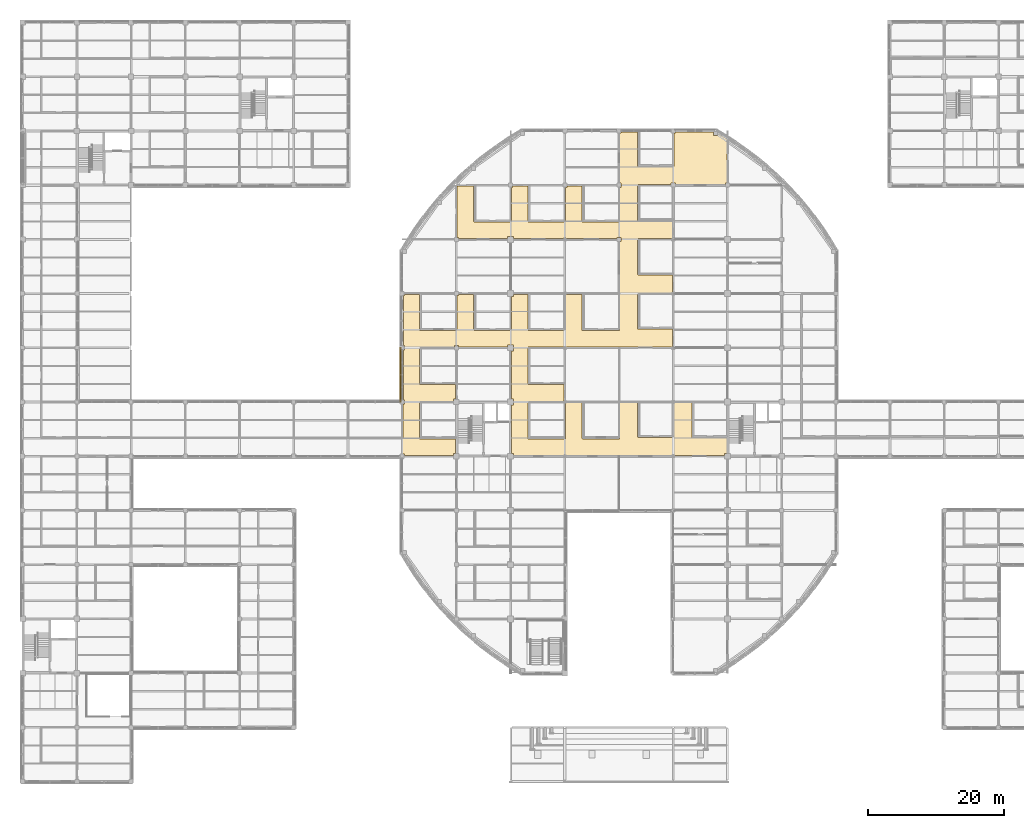
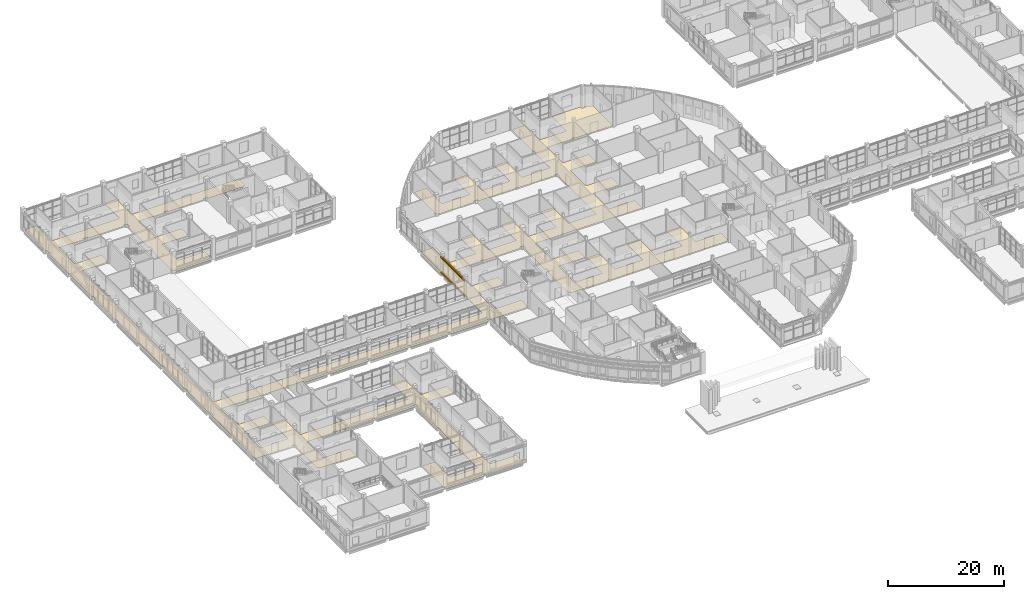
# One storey, part 110 of 121: 3 coverings, 1 shading device.
"""IFC4 building model written with IfcOpenShell, lengths in metres."""

from ifc_helpers import new_model, si_unit, derived_unit, direction, frame, origin, origin_2d, place, context, subcontext, project, spatial, polyline, rectangle, circle, outline, extrude, material, layer, layer_set, material_profile, profile_set, type_object, element, save


model = new_model("IFC4")

# Units and contexts
model_context = context("Model", 3, precision=1e-05, world=origin(), true_north=direction((0.0, 1.0)))
body_context = subcontext(model_context, "Body", "Model", "MODEL_VIEW")
ifc_project = project(units=[si_unit("LENGTHUNIT", "METRE"), si_unit("AREAUNIT", "SQUARE_METRE"), si_unit("VOLUMEUNIT", "CUBIC_METRE"), si_unit("PLANEANGLEUNIT", "RADIAN"), si_unit("MASSUNIT", "GRAM", prefix="KILO"), derived_unit("THERMALTRANSMITTANCEUNIT", [(si_unit("MASSUNIT", "GRAM", prefix="KILO"), 1), (si_unit("TIMEUNIT", "SECOND"), -3), (si_unit("THERMODYNAMICTEMPERATUREUNIT", "KELVIN"), -1)])], contexts=[model_context])

# Site, building, storey
site_placement = place(None, origin())
site = spatial("IfcSite", under=ifc_project, at=site_placement, CompositionType="ELEMENT")
building_placement = place(site_placement, origin())
building = spatial("IfcBuilding", under=site, at=building_placement, Name="Veyamyaing Civic Hall", CompositionType="ELEMENT")
storey_placement = place(building_placement, frame((0.0, 0.0, 5.280029296875)))
storey = spatial("IfcBuildingStorey", under=building, at=storey_placement, Name="L01", CompositionType="ELEMENT", Elevation=5.280029296875)

# Coverings
ifc_material_1 = material(Name="White powder-coated aluminium 6063-T6", Category="aluminium")
ifc_layer_1 = layer(ifc_material_1, 0.2099609375, Name="White powder-coated aluminium 6063-T6")
ifc_layer_set_1 = layer_set([ifc_layer_1], Name="White powder-coated aluminium 6063-T6")
covering_type_1 = type_object("IfcCoveringType", Name="CL-03", PredefinedType="CLADDING", material=ifc_layer_set_1)
for number, where, z_axis, x_axis, name in (
    (1, (55.760009765625, 60.0, 3.596923828125), (0.0, 0.0, 1.0), (0.0, 1.0, 0.0), "Continuous white head fascia ribbon CL-03 L01 W 8.8"),
    (2, (55.760009765625, 60.0, 0.280029296875), (0.0, 0.0, 1.0), (0.0, 1.0, 0.0), "Continuous white sill fascia ribbon CL-03 L01 W 8.8"),
):
    element("IfcCovering", number, at=place(storey_placement, frame(where, z_axis=z_axis, x_axis=x_axis)), inside=storey, type_object=covering_type_1, Name=name, PredefinedType="CLADDING", context=body_context, shape_type="SweptSolid", body=[
        extrude(rectangle(XDim=8.1201171875, YDim=0.2099609375, at=origin_2d()), origin(), (0.0, 0.0, 1.0), 0.39990234375),
    ])
ifc_material_2 = material(Name="Polished Mandalay marble and terrazzo flooring", Category="masonry")
ifc_layer_2 = layer(ifc_material_2, 0.030029296875, Name="Polished Mandalay marble and terrazzo flooring")
ifc_layer_set_2 = layer_set([ifc_layer_2], Name="Polished Mandalay marble and terrazzo flooring")
covering_type_2 = type_object("IfcCoveringType", Name="FLR-01", PredefinedType="FLOORING", material=ifc_layer_set_2)
covering_placement = place(storey_placement, origin())
element("IfcCovering", 3, at=covering_placement, inside=storey, type_object=covering_type_2, Name="Stone and terrazzo flooring FLR-01 L01-C01", PredefinedType="FLOORING", context=body_context, shape_type="SweptSolid", body=[
    extrude(outline(polyline([(2.594482421875, 40.0830078125), (2.57275390625, 40.0634765625), (2.5576171875, 40.038330078125), (2.550048828125, 40.0), (2.550048828125, 34.64990234375), (2.5576171875, 34.61181640625), (2.579345703125, 34.579345703125), (2.61181640625, 34.5576171875), (2.64990234375, 34.550048828125), (8.0, 34.550048828125), (8.038330078125, 34.5576171875), (8.07080078125, 34.579345703125), (8.09228515625, 34.61181640625), (8.10009765625, 34.64990234375), (8.10009765625, 39.68994140625), (8.31005859375, 39.68994140625), (8.31005859375, 39.89990234375), (10.550048828125, 39.89990234375), (10.550048828125, 34.64990234375), (10.5576171875, 34.61181640625), (10.57275390625, 34.586669921875), (10.594482421875, 34.56689453125), (10.630615234375, 34.552001953125), (32.01953125, 34.552001953125), (32.0556640625, 34.56689453125), (32.077392578125, 34.586669921875), (32.095703125, 34.62109375), (32.10009765625, 34.64990234375), (32.10009765625, 39.68994140625), (32.31005859375, 39.68994140625), (32.31005859375, 39.820068359375), (34.550048828125, 39.820068359375), (34.550048828125, 34.64990234375), (34.5576171875, 34.61181640625), (34.579345703125, 34.579345703125), (34.61181640625, 34.5576171875), (34.64990234375, 34.550048828125), (39.820068359375, 34.550048828125), (39.820068359375, 32.31005859375), (39.68994140625, 32.31005859375), (39.68994140625, 32.10009765625), (34.64990234375, 32.10009765625), (34.62109375, 32.095703125), (34.586669921875, 32.077392578125), (34.56689453125, 32.0556640625), (34.552001953125, 32.01953125), (34.552001953125, 10.630615234375), (34.56689453125, 10.594482421875), (34.586669921875, 10.57275390625), (34.61181640625, 10.5576171875), (34.64990234375, 10.550048828125), (39.820068359375, 10.550048828125), (39.820068359375, 8.31005859375), (39.68994140625, 8.31005859375), (39.68994140625, 8.179931640625), (32.31005859375, 8.179931640625), (32.31005859375, 8.31005859375), (31.68994140625, 8.31005859375), (31.68994140625, 8.179931640625), (24.31005859375, 8.179931640625), (24.31005859375, 8.31005859375), (24.10009765625, 8.31005859375), (24.10009765625, 15.68994140625), (24.31005859375, 15.68994140625), (24.31005859375, 15.820068359375), (26.550048828125, 15.820068359375), (26.550048828125, 10.64990234375), (26.55419921875, 10.62109375), (26.561767578125, 10.602783203125), (26.57275390625, 10.586669921875), (26.594482421875, 10.56689453125), (26.62109375, 10.55419921875), (26.64990234375, 10.550048828125), (32.0, 10.550048828125), (32.038330078125, 10.5576171875), (32.0634765625, 10.57275390625), (32.0830078125, 10.594482421875), (32.095703125, 10.62109375), (32.10009765625, 10.64990234375), (32.10009765625, 15.68994140625), (32.31005859375, 15.68994140625), (32.31005859375, 16.31005859375), (32.179931640625, 16.31005859375), (32.179931640625, 23.68994140625), (32.31005859375, 23.68994140625), (32.31005859375, 24.31005859375), (32.179931640625, 24.31005859375), (32.179931640625, 31.68994140625), (32.31005859375, 31.68994140625), (32.31005859375, 32.31005859375), (31.68994140625, 32.31005859375), (31.68994140625, 32.179931640625), (24.31005859375, 32.179931640625), (24.31005859375, 32.31005859375), (23.68994140625, 32.31005859375), (23.68994140625, 32.179931640625), (16.31005859375, 32.179931640625), (16.31005859375, 32.31005859375), (15.68994140625, 32.31005859375), (15.68994140625, 32.10009765625), (10.64990234375, 32.10009765625), (10.62109375, 32.095703125), (10.594482421875, 32.0830078125), (10.579345703125, 32.07080078125), (10.561767578125, 32.047119140625), (10.552001953125, 32.01953125), (10.550048828125, 32.0), (10.550048828125, 26.64990234375), (10.55419921875, 26.62109375), (10.56689453125, 26.594482421875), (10.586669921875, 26.57275390625), (10.602783203125, 26.561767578125), (10.62109375, 26.55419921875), (10.64990234375, 26.550048828125), (15.820068359375, 26.550048828125), (15.820068359375, 24.31005859375), (15.68994140625, 24.31005859375), (15.68994140625, 24.10009765625), (8.409912109375, 24.10009765625), (8.409912109375, 24.409912109375), (8.10009765625, 24.409912109375), (8.10009765625, 31.68994140625), (8.31005859375, 31.68994140625), (8.31005859375, 32.31005859375), (7.68994140625, 32.31005859375), (7.68994140625, 32.10009765625), (0.31005859375, 32.10009765625), (0.31005859375, 32.31005859375), (0.179931640625, 32.31005859375), (0.179931640625, 39.68994140625), (0.31005859375, 39.68994140625), (0.31005859375, 40.31005859375), (0.179931640625, 40.31005859375), (0.179931640625, 47.68994140625), (0.31005859375, 47.68994140625), (0.31005859375, 48.31005859375), (0.179931640625, 48.31005859375), (0.179931640625, 55.68994140625), (0.31005859375, 55.68994140625), (0.31005859375, 56.31005859375), (0.179931640625, 56.31005859375), (0.179931640625, 63.68994140625), (0.31005859375, 63.68994140625), (0.31005859375, 64.31005859375), (0.179931640625, 64.31005859375), (0.179931640625, 71.68994140625), (0.31005859375, 71.68994140625), (0.31005859375, 72.31005859375), (0.179931640625, 72.31005859375), (0.179931640625, 79.614990234375), (0.385009765625, 79.614990234375), (0.385009765625, 80.385009765625), (0.179931640625, 80.385009765625), (0.179931640625, 87.614990234375), (0.385009765625, 87.614990234375), (0.385009765625, 88.385009765625), (0.179931640625, 88.385009765625), (0.179931640625, 95.614990234375), (0.385009765625, 95.614990234375), (0.385009765625, 96.385009765625), (0.179931640625, 96.385009765625), (0.179931640625, 103.614990234375), (0.385009765625, 103.614990234375), (0.385009765625, 104.385009765625), (0.179931640625, 104.385009765625), (0.179931640625, 111.614990234375), (0.385009765625, 111.614990234375), (0.385009765625, 111.820068359375), (2.550048828125, 111.820068359375), (2.550048828125, 106.64990234375), (2.5576171875, 106.61181640625), (2.579345703125, 106.579345703125), (2.61181640625, 106.5576171875), (2.64013671875, 106.550537109375), (16.0, 106.550048828125), (16.029052734375, 106.55419921875), (16.0556640625, 106.56689453125), (16.077392578125, 106.586669921875), (16.095703125, 106.62109375), (16.10009765625, 106.64990234375), (16.10009765625, 111.614990234375), (16.385009765625, 111.614990234375), (16.385009765625, 111.820068359375), (18.550048828125, 111.820068359375), (18.550048828125, 106.64990234375), (18.55419921875, 106.62109375), (18.57275390625, 106.586669921875), (18.594482421875, 106.56689453125), (18.630615234375, 106.552001953125), (39.89990234375, 106.550048828125), (39.89990234375, 104.409912109375), (39.590087890625, 104.409912109375), (39.590087890625, 104.10009765625), (32.409912109375, 104.10009765625), (32.409912109375, 104.409912109375), (31.590087890625, 104.409912109375), (31.590087890625, 104.10009765625), (24.385009765625, 104.10009765625), (24.385009765625, 104.385009765625), (23.614990234375, 104.385009765625), (23.614990234375, 104.10009765625), (18.64990234375, 104.10009765625), (18.61181640625, 104.09228515625), (18.594482421875, 104.0830078125), (18.57275390625, 104.0634765625), (18.55419921875, 104.029052734375), (18.550048828125, 104.0), (18.550048828125, 98.64990234375), (18.55419921875, 98.62109375), (18.56689453125, 98.594482421875), (18.579345703125, 98.579345703125), (18.602783203125, 98.561767578125), (18.62109375, 98.55419921875), (18.64990234375, 98.550048828125), (23.89990234375, 98.550048828125), (23.89990234375, 96.385009765625), (23.614990234375, 96.385009765625), (23.614990234375, 96.10009765625), (18.64990234375, 96.10009765625), (18.61181640625, 96.09228515625), (18.579345703125, 96.07080078125), (18.5576171875, 96.038330078125), (18.550048828125, 96.0), (18.550048828125, 90.64990234375), (18.55419921875, 90.62109375), (18.57275390625, 90.586669921875), (18.594482421875, 90.56689453125), (18.62109375, 90.55419921875), (18.64990234375, 90.550048828125), (23.89990234375, 90.550048828125), (23.89990234375, 88.385009765625), (23.614990234375, 88.385009765625), (23.614990234375, 88.179931640625), (16.409912109375, 88.179931640625), (16.409912109375, 88.409912109375), (16.10009765625, 88.409912109375), (16.10009765625, 95.590087890625), (16.409912109375, 95.590087890625), (16.409912109375, 96.409912109375), (16.10009765625, 96.409912109375), (16.10009765625, 103.614990234375), (16.385009765625, 103.614990234375), (16.385009765625, 104.385009765625), (15.614990234375, 104.385009765625), (15.614990234375, 104.10009765625), (8.385009765625, 104.10009765625), (8.385009765625, 104.385009765625), (7.614990234375, 104.385009765625), (7.614990234375, 104.10009765625), (2.64990234375, 104.10009765625), (2.62109375, 104.095703125), (2.602783203125, 104.088134765625), (2.579345703125, 104.07080078125), (2.56689453125, 104.0556640625), (2.55419921875, 104.029052734375), (2.550048828125, 104.0), (2.550048828125, 98.64990234375), (2.5576171875, 98.61181640625), (2.579345703125, 98.579345703125), (2.61181640625, 98.5576171875), (2.64990234375, 98.550048828125), (7.89990234375, 98.550048828125), (7.89990234375, 96.409912109375), (7.590087890625, 96.409912109375), (7.590087890625, 96.10009765625), (2.64990234375, 96.10009765625), (2.61181640625, 96.09228515625), (2.579345703125, 96.07080078125), (2.5576171875, 96.038330078125), (2.550537109375, 96.009765625), (2.550048828125, 50.64990234375), (2.5576171875, 50.61181640625), (2.57275390625, 50.586669921875), (2.594482421875, 50.56689453125), (2.630615234375, 50.552001953125), (56.0, 50.550048828125), (56.038330078125, 50.5576171875), (56.0634765625, 50.57275390625), (56.0830078125, 50.594482421875), (56.095703125, 50.62109375), (56.10009765625, 50.64990234375), (56.10009765625, 55.68994140625), (56.31005859375, 55.68994140625), (56.31005859375, 56.31005859375), (56.179931640625, 56.31005859375), (56.179931640625, 63.68994140625), (56.31005859375, 63.68994140625), (56.31005859375, 64.31005859375), (56.179931640625, 64.31005859375), (56.179931640625, 71.68994140625), (56.31005859375, 71.68994140625), (56.31005859375, 71.89990234375), (58.550048828125, 71.89990234375), (58.550048828125, 66.64990234375), (58.55419921875, 66.62109375), (58.57275390625, 66.586669921875), (58.602783203125, 66.561767578125), (58.630615234375, 66.552001953125), (64.0, 66.550048828125), (64.038330078125, 66.5576171875), (64.07080078125, 66.579345703125), (64.09228515625, 66.61181640625), (64.10009765625, 66.64990234375), (64.10009765625, 71.68994140625), (64.31005859375, 71.68994140625), (64.31005859375, 71.89990234375), (66.550048828125, 71.89990234375), (66.550048828125, 66.64990234375), (66.55419921875, 66.62109375), (66.57275390625, 66.586669921875), (66.594482421875, 66.56689453125), (66.630615234375, 66.552001953125), (72.0, 66.550048828125), (72.038330078125, 66.5576171875), (72.07080078125, 66.579345703125), (72.09228515625, 66.61181640625), (72.10009765625, 66.64990234375), (72.10009765625, 71.56494140625), (72.43505859375, 71.56494140625), (72.43505859375, 71.89990234375), (74.550048828125, 71.89990234375), (74.550048828125, 66.64990234375), (74.55419921875, 66.62109375), (74.56689453125, 66.594482421875), (74.594482421875, 66.56689453125), (74.62109375, 66.55419921875), (74.64990234375, 66.550048828125), (80.0, 66.550048828125), (80.038330078125, 66.5576171875), (80.07080078125, 66.579345703125), (80.09228515625, 66.61181640625), (80.10009765625, 66.64990234375), (80.10009765625, 71.803955078125), (80.197021484375, 71.803955078125), (80.197021484375, 71.89990234375), (82.550048828125, 71.89990234375), (82.550048828125, 66.64990234375), (82.55419921875, 66.62109375), (82.561767578125, 66.602783203125), (82.579345703125, 66.579345703125), (82.594482421875, 66.56689453125), (82.62109375, 66.55419921875), (82.64990234375, 66.550048828125), (88.0, 66.550048828125), (88.029052734375, 66.55419921875), (88.0634765625, 66.57275390625), (88.0830078125, 66.594482421875), (88.09814453125, 66.630615234375), (88.10009765625, 79.68994140625), (88.31005859375, 79.68994140625), (88.31005859375, 80.31005859375), (87.68994140625, 80.31005859375), (87.68994140625, 80.10009765625), (80.197021484375, 80.10009765625), (80.197021484375, 80.196044921875), (79.802978515625, 80.196044921875), (79.802978515625, 80.10009765625), (72.43505859375, 80.10009765625), (72.43505859375, 80.43505859375), (71.56494140625, 80.43505859375), (71.56494140625, 80.10009765625), (64.31005859375, 80.10009765625), (64.31005859375, 80.31005859375), (64.10009765625, 80.31005859375), (64.10009765625, 87.850341796875), (64.127197265625, 87.872802734375), (64.149658203125, 87.89990234375), (66.550048828125, 87.89990234375), (66.550048828125, 82.64990234375), (66.55419921875, 82.62109375), (66.57275390625, 82.586669921875), (66.594482421875, 82.56689453125), (66.630615234375, 82.552001953125), (72.0, 82.550048828125), (72.038330078125, 82.5576171875), (72.07080078125, 82.579345703125), (72.09228515625, 82.61181640625), (72.10009765625, 82.64990234375), (72.10009765625, 87.68994140625), (72.31005859375, 87.68994140625), (72.31005859375, 87.89990234375), (74.550048828125, 87.89990234375), (74.550048828125, 82.64990234375), (74.55419921875, 82.62109375), (74.56689453125, 82.594482421875), (74.594482421875, 82.56689453125), (74.62109375, 82.55419921875), (74.64990234375, 82.550048828125), (80.0, 82.550048828125), (80.029052734375, 82.55419921875), (80.0556640625, 82.56689453125), (80.07080078125, 82.579345703125), (80.088134765625, 82.602783203125), (80.095703125, 82.62109375), (80.10009765625, 82.64990234375), (80.10009765625, 87.68994140625), (80.31005859375, 87.68994140625), (80.31005859375, 87.89990234375), (82.550048828125, 87.89990234375), (82.550048828125, 82.64990234375), (82.5576171875, 82.61181640625), (82.579345703125, 82.579345703125), (82.61181640625, 82.5576171875), (82.64990234375, 82.550048828125), (88.01953125, 82.552001953125), (88.0556640625, 82.56689453125), (88.077392578125, 82.586669921875), (88.095703125, 82.62109375), (88.10009765625, 82.64990234375), (88.10009765625, 87.68994140625), (88.31005859375, 87.68994140625), (88.31005859375, 88.31005859375), (88.10009765625, 88.31005859375), (88.10009765625, 95.68994140625), (88.31005859375, 95.68994140625), (88.31005859375, 95.820068359375), (90.75, 95.820068359375), (90.75, 90.85009765625), (90.757568359375, 90.811767578125), (90.779296875, 90.779296875), (90.811767578125, 90.757568359375), (90.840087890625, 90.75048828125), (96.0, 90.75), (96.038330078125, 90.757568359375), (96.07080078125, 90.779296875), (96.09228515625, 90.811767578125), (96.10009765625, 90.85009765625), (96.10009765625, 95.68994140625), (96.31005859375, 95.68994140625), (96.31005859375, 95.820068359375), (101.910888671875, 95.820068359375), (101.910888671875, 95.326416015625), (102.53076171875, 95.326416015625), (102.53076171875, 95.7294921875), (103.89990234375, 94.903076171875), (103.89990234375, 88.31005859375), (103.68994140625, 88.31005859375), (103.68994140625, 88.10009765625), (96.31005859375, 88.10009765625), (96.31005859375, 88.31005859375), (95.68994140625, 88.31005859375), (95.68994140625, 88.10009765625), (90.85009765625, 88.10009765625), (90.821044921875, 88.095703125), (90.79443359375, 88.0830078125), (90.766845703125, 88.0556640625), (90.75439453125, 88.029052734375), (90.75, 88.0), (90.75, 82.85009765625), (90.757568359375, 82.811767578125), (90.779296875, 82.779296875), (90.811767578125, 82.757568359375), (90.85009765625, 82.75), (95.89990234375, 82.75), (95.89990234375, 80.196044921875), (95.802978515625, 80.196044921875), (95.802978515625, 80.10009765625), (90.85009765625, 80.10009765625), (90.821044921875, 80.095703125), (90.802978515625, 80.088134765625), (90.779296875, 80.07080078125), (90.766845703125, 80.0556640625), (90.75439453125, 80.029052734375), (90.75, 80.0), (90.75, 74.85009765625), (90.75439453125, 74.821044921875), (90.766845703125, 74.79443359375), (90.79443359375, 74.766845703125), (90.821044921875, 74.75439453125), (90.85009765625, 74.75), (95.89990234375, 74.75), (95.89990234375, 72.196044921875), (95.802978515625, 72.196044921875), (95.802978515625, 72.10009765625), (90.85009765625, 72.10009765625), (90.811767578125, 72.09228515625), (90.779296875, 72.07080078125), (90.757568359375, 72.038330078125), (90.75, 72.0), (90.751953125, 66.83056640625), (90.766845703125, 66.79443359375), (90.78662109375, 66.772705078125), (90.821044921875, 66.75439453125), (90.85009765625, 66.75), (95.89990234375, 66.75), (95.89990234375, 64.196044921875), (95.802978515625, 64.196044921875), (95.802978515625, 64.10009765625), (80.197021484375, 64.10009765625), (80.197021484375, 64.196044921875), (79.802978515625, 64.196044921875), (79.802978515625, 64.10009765625), (74.64990234375, 64.10009765625), (74.61181640625, 64.09228515625), (74.579345703125, 64.07080078125), (74.5576171875, 64.038330078125), (74.550048828125, 64.0), (74.550048828125, 58.64990234375), (74.5576171875, 58.61181640625), (74.579345703125, 58.579345703125), (74.61181640625, 58.5576171875), (74.64990234375, 58.550048828125), (79.89990234375, 58.550048828125), (79.89990234375, 56.196044921875), (79.802978515625, 56.196044921875), (79.802978515625, 56.10009765625), (74.64990234375, 56.10009765625), (74.62109375, 56.095703125), (74.602783203125, 56.088134765625), (74.579345703125, 56.07080078125), (74.56689453125, 56.0556640625), (74.55419921875, 56.029052734375), (74.550048828125, 56.0), (74.550048828125, 50.64990234375), (74.55419921875, 50.62109375), (74.56689453125, 50.594482421875), (74.579345703125, 50.579345703125), (74.602783203125, 50.561767578125), (74.62109375, 50.55419921875), (74.64990234375, 50.550048828125), (80.0, 50.550048828125), (80.038330078125, 50.5576171875), (80.07080078125, 50.579345703125), (80.09228515625, 50.61181640625), (80.10009765625, 50.64990234375), (80.10009765625, 55.803955078125), (80.197021484375, 55.803955078125), (80.197021484375, 55.89990234375), (82.550048828125, 55.89990234375), (82.550048828125, 50.64990234375), (82.55419921875, 50.62109375), (82.56689453125, 50.594482421875), (82.586669921875, 50.57275390625), (82.62109375, 50.55419921875), (82.64990234375, 50.550048828125), (88.0, 50.550048828125), (88.038330078125, 50.5576171875), (88.07080078125, 50.579345703125), (88.09228515625, 50.61181640625), (88.10009765625, 50.64990234375), (88.10009765625, 55.89990234375), (90.75, 55.89990234375), (90.75, 50.85009765625), (90.75439453125, 50.821044921875), (90.76171875, 50.802978515625), (90.779296875, 50.779296875), (90.79443359375, 50.766845703125), (90.821044921875, 50.75439453125), (90.85009765625, 50.75), (96.01953125, 50.751953125), (96.0556640625, 50.766845703125), (96.077392578125, 50.78662109375), (96.09228515625, 50.811767578125), (96.10009765625, 50.85009765625), (96.10009765625, 55.803955078125), (96.197021484375, 55.803955078125), (96.197021484375, 55.89990234375), (98.75, 55.89990234375), (98.75, 50.85009765625), (98.75439453125, 50.821044921875), (98.766845703125, 50.79443359375), (98.779296875, 50.779296875), (98.802978515625, 50.76171875), (98.821044921875, 50.75439453125), (98.85009765625, 50.75), (103.89990234375, 50.75), (103.89990234375, 48.43505859375), (103.56494140625, 48.43505859375), (103.56494140625, 48.10009765625), (96.197021484375, 48.10009765625), (96.197021484375, 48.196044921875), (95.802978515625, 48.196044921875), (95.802978515625, 48.10009765625), (80.197021484375, 48.10009765625), (80.197021484375, 48.196044921875), (79.802978515625, 48.196044921875), (79.802978515625, 48.10009765625), (72.43505859375, 48.10009765625), (72.43505859375, 48.43505859375), (72.10009765625, 48.43505859375), (72.10009765625, 55.56494140625), (72.43505859375, 55.56494140625), (72.43505859375, 56.43505859375), (72.10009765625, 56.43505859375), (72.10009765625, 63.56494140625), (72.43505859375, 63.56494140625), (72.43505859375, 64.43505859375), (71.56494140625, 64.43505859375), (71.56494140625, 64.10009765625), (64.31005859375, 64.10009765625), (64.31005859375, 64.31005859375), (63.68994140625, 64.31005859375), (63.68994140625, 64.10009765625), (58.64013671875, 64.099609375), (58.61181640625, 64.09228515625), (58.579345703125, 64.07080078125), (58.5576171875, 64.038330078125), (58.550048828125, 64.0), (58.550048828125, 58.64990234375), (58.55419921875, 58.62109375), (58.56689453125, 58.594482421875), (58.579345703125, 58.579345703125), (58.602783203125, 58.561767578125), (58.62109375, 58.55419921875), (58.64990234375, 58.550048828125), (63.89990234375, 58.550048828125), (63.89990234375, 56.409912109375), (63.590087890625, 56.409912109375), (63.590087890625, 56.10009765625), (58.64990234375, 56.10009765625), (58.61181640625, 56.09228515625), (58.579345703125, 56.07080078125), (58.5576171875, 56.038330078125), (58.550048828125, 56.0), (58.550048828125, 50.64990234375), (58.55419921875, 50.62109375), (58.56689453125, 50.594482421875), (58.586669921875, 50.57275390625), (58.62109375, 50.55419921875), (58.64990234375, 50.550048828125), (63.89990234375, 50.550048828125), (63.89990234375, 48.409912109375), (63.590087890625, 48.409912109375), (63.590087890625, 48.10009765625), (56.31005859375, 48.10009765625), (56.31005859375, 48.31005859375), (55.68994140625, 48.31005859375), (55.68994140625, 48.179931640625), (48.31005859375, 48.179931640625), (48.31005859375, 48.31005859375), (47.68994140625, 48.31005859375), (47.68994140625, 48.179931640625), (40.31005859375, 48.179931640625), (40.31005859375, 48.31005859375), (39.68994140625, 48.31005859375), (39.68994140625, 48.179931640625), (32.31005859375, 48.179931640625), (32.31005859375, 48.31005859375), (31.68994140625, 48.31005859375), (31.68994140625, 48.179931640625), (24.31005859375, 48.179931640625), (24.31005859375, 48.31005859375), (23.68994140625, 48.31005859375), (23.68994140625, 48.179931640625), (16.31005859375, 48.179931640625), (16.31005859375, 48.31005859375), (15.68994140625, 48.31005859375), (15.68994140625, 48.10009765625), (8.31005859375, 48.10009765625), (8.31005859375, 48.31005859375), (7.68994140625, 48.31005859375), (7.68994140625, 48.10009765625), (2.64013671875, 48.099609375), (2.602783203125, 48.088134765625), (2.579345703125, 48.07080078125), (2.5576171875, 48.038330078125), (2.550048828125, 48.0), (2.550048828125, 42.64990234375), (2.55419921875, 42.62109375), (2.56689453125, 42.594482421875), (2.586669921875, 42.57275390625), (2.602783203125, 42.561767578125), (2.62109375, 42.55419921875), (2.64990234375, 42.550048828125), (7.89990234375, 42.550048828125), (7.89990234375, 40.31005859375), (7.68994140625, 40.31005859375), (7.68994140625, 40.10009765625), (2.64990234375, 40.10009765625), (2.62109375, 40.095703125), (2.594482421875, 40.0830078125)])), origin(), (0.0, 0.0, 1.0), 0.030029296875),
])

# Shading device
ifc_material_profile = material_profile(ifc_material_1, circle(Radius=0.110107421875, at=origin_2d()), Name="SHADE-TUBE-220")
ifc_profile_set = profile_set([ifc_material_profile], Name="White powder-coated aluminium 6063-T6")
shading_device_type = type_object("IfcShadingDeviceType", Name="SH-01", PredefinedType="USERDEFINED", material=ifc_profile_set)
shading_device_placement = place(storey_placement, frame((55.760009765625, 56.284912109375, 3.757080078125), z_axis=(0.0, 1.0, 0.0), x_axis=(-1.0, 0.0, 0.0)))
element("IfcShadingDevice", 4, at=shading_device_placement, inside=storey, type_object=shading_device_type, Name="Horizontal white sunshade ribbon SH-01 L01 W 8.8", ObjectType="SUNSHADE", PredefinedType="USERDEFINED", context=body_context, shape_type="SweptSolid", body=[
    extrude(circle(Radius=0.110107421875, at=origin_2d()), origin(), (0.0, 0.0, 1.0), 7.43017578125),
])

save(model, "model.ifc")
